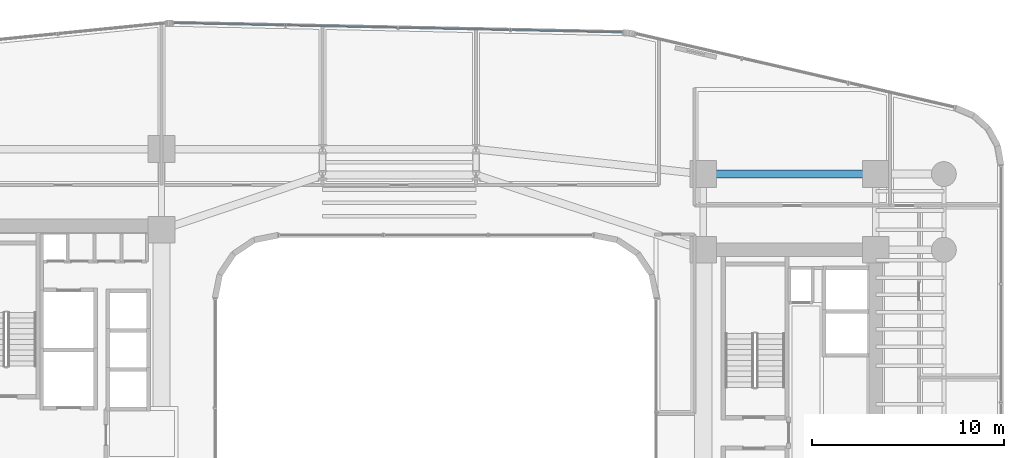
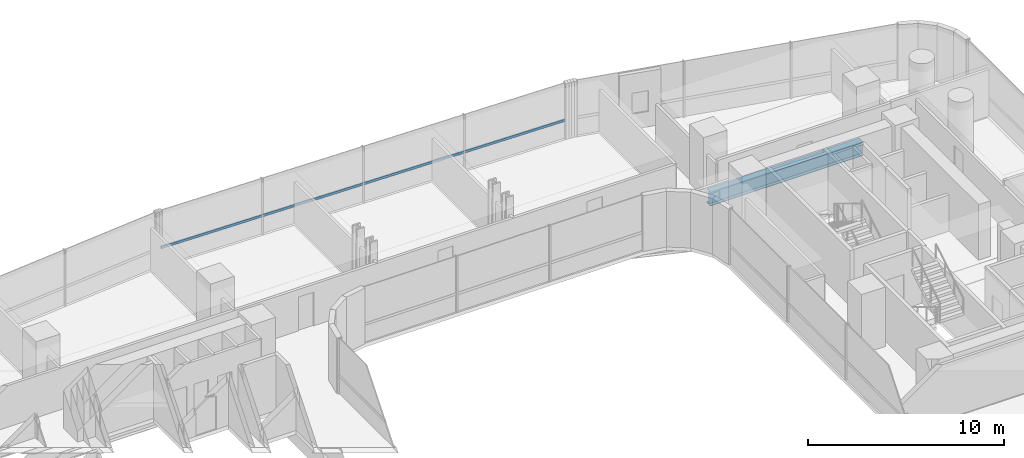
# One storey, part 23 of 39: 1 beam, 1 member, 1 element without a shape of its own.
"""IFC4 building model written with IfcOpenShell, lengths in metres."""

from ifc_helpers import new_model, si_unit, direction, frame, origin, origin_2d, place, context, subcontext, project, spatial, hollow_rectangle, i_section, extrude, source, transform, mapped, material, material_profile, profile_set, type_object, element, aggregate, save


model = new_model("IFC4")

# Units and contexts
model_context = context("Model", 3, precision=1e-05, world=origin(), true_north=direction((0.0, 1.0)))
body_context = subcontext(model_context, "Body", "Model", "MODEL_VIEW")
ifc_project = project(units=[si_unit("LENGTHUNIT", "METRE"), si_unit("AREAUNIT", "SQUARE_METRE"), si_unit("VOLUMEUNIT", "CUBIC_METRE"), si_unit("PLANEANGLEUNIT", "RADIAN"), si_unit("MASSUNIT", "GRAM", prefix="KILO")], contexts=[model_context])

# Site, building, storey
site_placement = place(None, origin())
site = spatial("IfcSite", under=ifc_project, at=site_placement, CompositionType="ELEMENT")
building_placement = place(site_placement, origin())
building = spatial("IfcBuilding", under=site, at=building_placement, Name="Valdorenza Pilgrim Sanctuary Tower", CompositionType="ELEMENT")
storey_placement = place(building_placement, frame((0.0, 0.0, 33.39990234375)))
storey = spatial("IfcBuildingStorey", under=building, at=storey_placement, Name="L07", CompositionType="ELEMENT", Elevation=33.39990234375)

# Beam
ifc_material_1 = material(Name="Steel ASTM A992 Grade 50", Category="steel")
ifc_material_profile_1 = material_profile(ifc_material_1, i_section(OverallWidth=0.39990234375, OverallDepth=0.862060546875, WebThickness=0.019775390625, FlangeThickness=0.032470703125, at=origin_2d()), Name="W33X221")
ifc_profile_set_1 = profile_set([ifc_material_profile_1], Name="Steel ASTM A992 Grade 50")
beam_type = type_object("IfcBeamType", Name="STR-BM-GRD-W33", PredefinedType="BEAM", material=ifc_profile_set_1)
shared_shape_1 = source(origin(), body_context, "Body", "SweptSolid", [
    extrude(i_section(OverallWidth=0.39990234375, OverallDepth=0.862060546875, WebThickness=0.019775390625, FlangeThickness=0.032470703125, at=origin_2d()), origin(), (0.0, 0.0, 1.0), 9.0),
])
beam_placement = place(storey_placement, frame((15.85009765625, 13.5, -0.6708984375), z_axis=(1.0, 0.0, 0.0), x_axis=(0.0, 1.0, 0.0)))
element("IfcBeam", 1, at=beam_placement, inside=storey, type_object=beam_type, Name="L07 Floor Girder CB-XC-N2", PredefinedType="BEAM", context=body_context, shape_type="MappedRepresentation", body=[
    mapped(shared_shape_1, transform((0.0, 0.0, 0.0), x_axis=(1.0, 0.0, 0.0), y_axis=(0.0, 1.0, 0.0), z_axis=(0.0, 0.0, 1.0), scale=1.0)),
])

# Curtain wall, member
ifc_material_2 = material(Name="Curtain-wall IGU glazing", Category="glass")
curtain_wall_type = type_object("IfcCurtainWallType", Name="CW-SYS-02", PredefinedType="NOTDEFINED", material=ifc_material_2)
curtain_wall_placement = place(storey_placement, origin())
curtain_wall = element("IfcCurtainWall", 2, at=curtain_wall_placement, inside=storey, type_object=curtain_wall_type, Name="L07 Curtain Wall CW-L07-1-11", PredefinedType="NOTDEFINED")
ifc_material_3 = material(Name="Anodised aluminium AW-6060", Category="aluminium")
ifc_material_profile_2 = material_profile(ifc_material_3, hollow_rectangle(XDim=0.074951171875, YDim=0.14990234375, WallThickness=0.00390625, at=origin_2d()), Name="ALU-T 150x75x4")
ifc_profile_set_2 = profile_set([ifc_material_profile_2], Name="Anodised aluminium AW-6060")
member_type = type_object("IfcMemberType", Name="CW-TRN-02", PredefinedType="USERDEFINED", material=ifc_profile_set_2)
shared_shape_2 = source(origin(), body_context, "Body", "SweptSolid", [
    extrude(hollow_rectangle(XDim=0.074951171875, YDim=0.14990234375, WallThickness=0.00390625, at=origin_2d()), origin(), (0.0, 0.0, 1.0), 23.479248046875),
])
member_placement = place(storey_placement, frame((-11.808349609375, 21.385986328125, 1.1201171875), z_axis=(0.999783083794, -0.020827514476, 0.0), x_axis=(0.020827514476, 0.999783083794, 0.0)))
member = element("IfcMember", 3, at=member_placement, type_object=member_type, Name="CW-L07-1-11 Transom 1", ObjectType="TRANSOM", PredefinedType="USERDEFINED", context=body_context, shape_type="MappedRepresentation", body=[
    mapped(shared_shape_2, transform((0.0, 0.0, 0.0), x_axis=(1.0, 0.0, 0.0), y_axis=(0.0, 1.0, 0.0), z_axis=(0.0, 0.0, 1.0), scale=1.0)),
])
aggregate(curtain_wall, [member])

save(model, "model.ifc")
